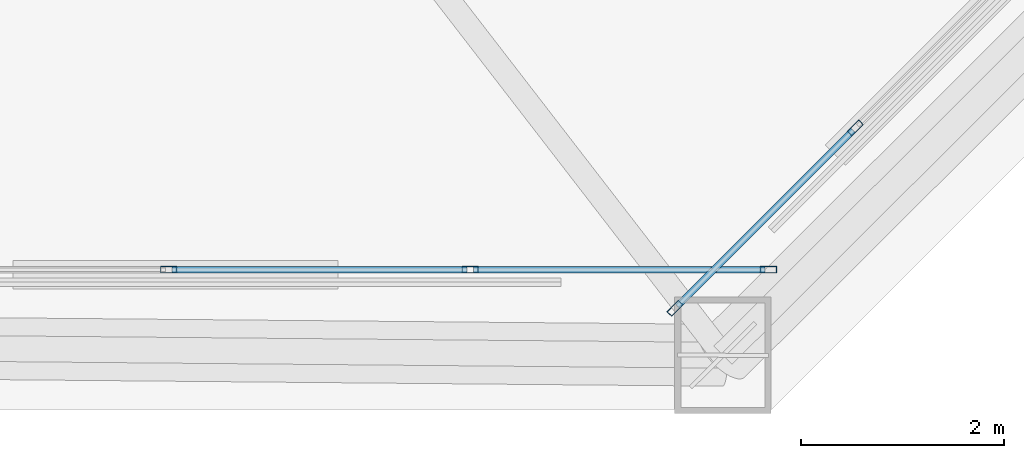
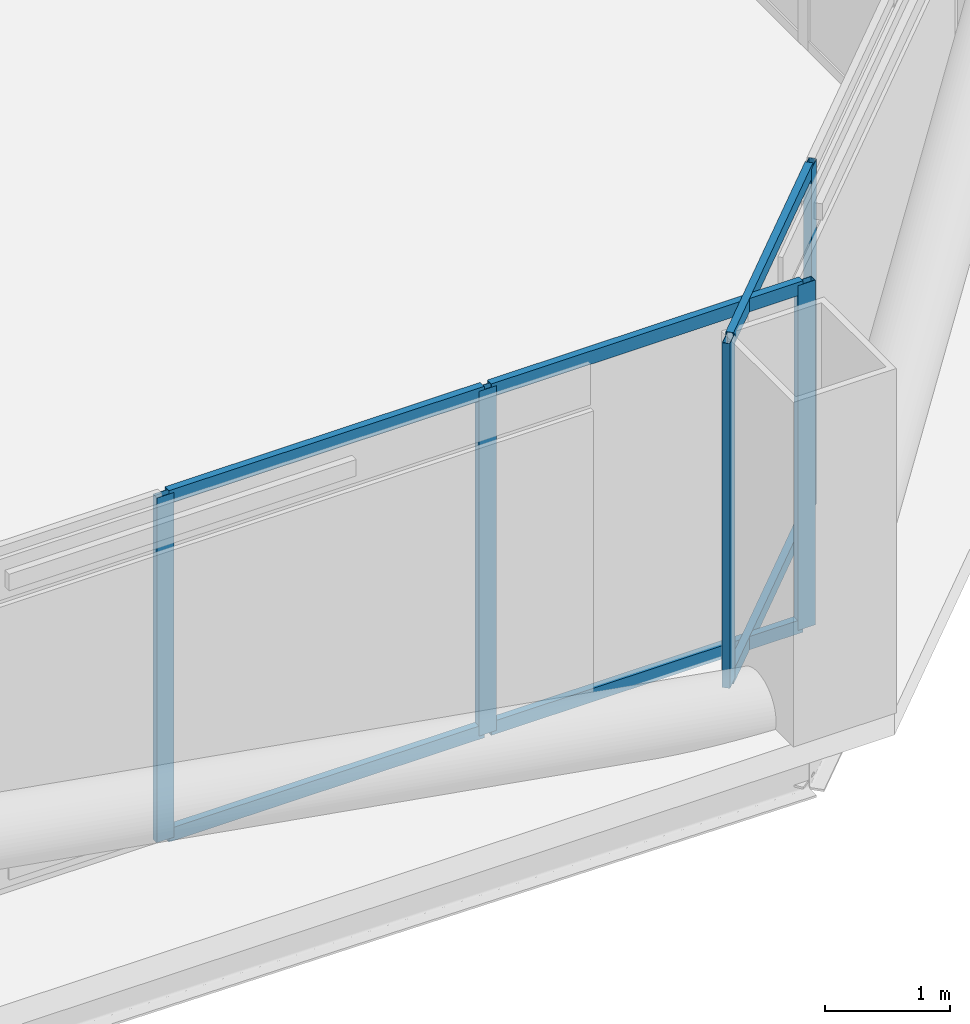
# One storey, part 23 of 50: 11 members, 2 elements without a shape of their own.
"""IFC4 building model written with IfcOpenShell, lengths in metres."""

from ifc_helpers import new_model, si_unit, direction, frame, origin, origin_2d, place, context, subcontext, project, spatial, hollow_rectangle, extrude, material, layer, layer_set, material_profile, profile_set, type_object, element, aggregate, save


model = new_model("IFC4")

# Units and contexts
model_context = context("Model", 3, precision=1e-05, world=origin(), true_north=direction((0.0, 1.0)))
body_context = subcontext(model_context, "Body", "Model", "MODEL_VIEW")
ifc_project = project(units=[si_unit("LENGTHUNIT", "METRE"), si_unit("AREAUNIT", "SQUARE_METRE"), si_unit("VOLUMEUNIT", "CUBIC_METRE"), si_unit("PLANEANGLEUNIT", "RADIAN"), si_unit("MASSUNIT", "GRAM", prefix="KILO")], contexts=[model_context])

# Site, building, storey
site_placement = place(None, origin())
site = spatial("IfcSite", under=ifc_project, at=site_placement, CompositionType="ELEMENT")
building_placement = place(site_placement, origin())
building = spatial("IfcBuilding", under=site, at=building_placement, Name="Caelvoria Tower", CompositionType="ELEMENT")
storey_placement = place(building_placement, frame((0.0, 0.0, 71.199951171875)))
storey = spatial("IfcBuildingStorey", under=building, at=storey_placement, Name="L18", CompositionType="ELEMENT", Elevation=71.199951171875)

# Curtain wall, members
ifc_material_1 = material(Name="Anodised Bronze Aluminium and Low-E Glass", Category="aluminium")
ifc_layer = layer(ifc_material_1, 0.18505859375, Name="Anodised Bronze Aluminium and Low-E Glass")
ifc_layer_set = layer_set([ifc_layer], Name="CW System 2 Lower Tower Bronze Unitised Facade - Anodised Bronze Aluminium and Low-E Glass")
curtain_wall_type = type_object("IfcCurtainWallType", Name="CW System 2 Lower Tower Bronze Unitised Facade", PredefinedType="NOTDEFINED", material=ifc_layer_set)
curtain_wall_1_placement = place(storey_placement, origin())
curtain_wall_1 = element("IfcCurtainWall", 1, at=curtain_wall_1_placement, inside=storey, type_object=curtain_wall_type, Name="CW-02 Curtain Wall L18-E0", PredefinedType="NOTDEFINED")
ifc_material_2 = material(Name="Anodised Bronze Architectural Aluminium", Category="aluminium")
ifc_material_profile_1 = material_profile(ifc_material_2, hollow_rectangle(XDim=0.06494140625, YDim=0.159912109375, WallThickness=0.00390625, at=origin_2d()), Name="Anodised Bronze Architectural Aluminium")
ifc_profile_set_1 = profile_set([ifc_material_profile_1], Name="CW_MULL_65X160 - Anodised Bronze Architectural Aluminium")
member_type_1 = type_object("IfcMemberType", Name="Curtain Wall Mullion 65x160 Bronze Aluminium", PredefinedType="MULLION", material=ifc_profile_set_1)
member_1_placement = place(storey_placement, frame((60.857177734375, 10.179931640625, 0.0), z_axis=(0.0, 0.0, 1.0), x_axis=(0.0, 1.0, 0.0)))
member_1 = element("IfcMember", 2, at=member_1_placement, type_object=member_type_1, Name="CW-02 mullion 13", PredefinedType="MULLION", context=body_context, shape_type="SweptSolid", body=[
    extrude(hollow_rectangle(XDim=0.06494140625, YDim=0.159912109375, WallThickness=0.00390625, at=origin_2d()), origin(), (0.0, 0.0, 1.0), 3.360107421875),
])
member_2_placement = place(storey_placement, frame((63.82861328125, 10.179931640625, 0.0), z_axis=(0.0, 0.0, 1.0), x_axis=(0.0, 1.0, 0.0)))
member_2 = element("IfcMember", 3, at=member_2_placement, type_object=member_type_1, Name="CW-02 mullion 14", PredefinedType="MULLION", context=body_context, shape_type="SweptSolid", body=[
    extrude(hollow_rectangle(XDim=0.06494140625, YDim=0.159912109375, WallThickness=0.00390625, at=origin_2d()), origin(), (0.0, 0.0, 1.0), 3.360107421875),
])
member_3_placement = place(storey_placement, frame((66.767578125, 10.179931640625, 0.0), z_axis=(0.0, 0.0, 1.0), x_axis=(0.0, 1.0, 0.0)))
member_3 = element("IfcMember", 4, at=member_3_placement, type_object=member_type_1, Name="CW-02 mullion 15", PredefinedType="MULLION", context=body_context, shape_type="SweptSolid", body=[
    extrude(hollow_rectangle(XDim=0.06494140625, YDim=0.159912109375, WallThickness=0.00390625, at=origin_2d()), origin(), (0.0, 0.0, 1.0), 3.360107421875),
])

curtain_wall_2_placement = place(storey_placement, origin())
curtain_wall_2 = element("IfcCurtainWall", 5, at=curtain_wall_2_placement, inside=storey, type_object=curtain_wall_type, Name="CW-02 Curtain Wall L18-E1", PredefinedType="NOTDEFINED")
member_4_placement = place(storey_placement, frame((65.84716796875, 9.798828125, 0.0), z_axis=(0.0, 0.0, 1.0), x_axis=(-0.707106781187, 0.707106781187, 0.0)))
member_4 = element("IfcMember", 6, at=member_4_placement, type_object=member_type_1, Name="CW-02 mullion 1", PredefinedType="MULLION", context=body_context, shape_type="SweptSolid", body=[
    extrude(hollow_rectangle(XDim=0.06494140625, YDim=0.159912109375, WallThickness=0.00390625, at=origin_2d()), origin(), (0.0, 0.0, 1.0), 3.360107421875),
])
member_5_placement = place(storey_placement, frame((67.624267578125, 11.57568359375, 0.0), z_axis=(0.0, 0.0, 1.0), x_axis=(-0.707106781187, 0.707106781187, 0.0)))
member_5 = element("IfcMember", 7, at=member_5_placement, type_object=member_type_1, Name="CW-02 mullion 2", PredefinedType="MULLION", context=body_context, shape_type="SweptSolid", body=[
    extrude(hollow_rectangle(XDim=0.06494140625, YDim=0.159912109375, WallThickness=0.00390625, at=origin_2d()), origin(), (0.0, 0.0, 1.0), 3.360107421875),
])

# Member
ifc_material_profile_2 = material_profile(ifc_material_2, hollow_rectangle(XDim=0.06494140625, YDim=0.1298828125, WallThickness=0.00341796875, at=origin_2d()), Name="Anodised Bronze Architectural Aluminium")
ifc_profile_set_2 = profile_set([ifc_material_profile_2], Name="CW_TRAN_65X130 - Anodised Bronze Architectural Aluminium")
member_type_2 = type_object("IfcMemberType", Name="Curtain Wall Transom 65x130 Bronze Aluminium", PredefinedType="USERDEFINED", material=ifc_profile_set_2)
member_6_placement = place(storey_placement, frame((60.8896484375, 10.179931640625, 0.032470703125), z_axis=(1.0, 0.0, 0.0), x_axis=(0.0, 1.0, 0.0)))
member_6 = element("IfcMember", 8, at=member_6_placement, type_object=member_type_2, Name="CW-02 transom 13.1", ObjectType="TRANSOM", PredefinedType="USERDEFINED", context=body_context, shape_type="SweptSolid", body=[
    extrude(hollow_rectangle(XDim=0.06494140625, YDim=0.1298828125, WallThickness=0.00341796875, at=origin_2d()), origin(), (0.0, 0.0, 1.0), 2.906494140625),
])

member_7_placement = place(storey_placement, frame((60.8896484375, 10.179931640625, 3.32763671875), z_axis=(1.0, 0.0, 0.0), x_axis=(0.0, 1.0, 0.0)))
member_7 = element("IfcMember", 9, at=member_7_placement, type_object=member_type_2, Name="CW-02 transom 13.2", ObjectType="TRANSOM", PredefinedType="USERDEFINED", context=body_context, shape_type="SweptSolid", body=[
    extrude(hollow_rectangle(XDim=0.06494140625, YDim=0.1298828125, WallThickness=0.00341796875, at=origin_2d()), origin(), (0.0, 0.0, 1.0), 2.906494140625),
])

member_8_placement = place(storey_placement, frame((63.861083984375, 10.179931640625, 0.032470703125), z_axis=(1.0, 0.0, 0.0), x_axis=(0.0, 1.0, 0.0)))
member_8 = element("IfcMember", 10, at=member_8_placement, type_object=member_type_2, Name="CW-02 transom 14.1", ObjectType="TRANSOM", PredefinedType="USERDEFINED", context=body_context, shape_type="SweptSolid", body=[
    extrude(hollow_rectangle(XDim=0.06494140625, YDim=0.1298828125, WallThickness=0.00341796875, at=origin_2d()), origin(), (0.0, 0.0, 1.0), 2.8740234375),
])

member_9_placement = place(storey_placement, frame((63.861083984375, 10.179931640625, 3.32763671875), z_axis=(1.0, 0.0, 0.0), x_axis=(0.0, 1.0, 0.0)))
member_9 = element("IfcMember", 11, at=member_9_placement, type_object=member_type_2, Name="CW-02 transom 14.2", ObjectType="TRANSOM", PredefinedType="USERDEFINED", context=body_context, shape_type="SweptSolid", body=[
    extrude(hollow_rectangle(XDim=0.06494140625, YDim=0.1298828125, WallThickness=0.00341796875, at=origin_2d()), origin(), (0.0, 0.0, 1.0), 2.8740234375),
])

aggregate(curtain_wall_1, [member_1, member_2, member_3, member_6, member_7, member_8, member_9])

member_10_placement = place(storey_placement, frame((65.8701171875, 9.82177734375, 0.032470703125), z_axis=(0.707156642399, 0.707056916458, 0.0), x_axis=(-0.707056916458, 0.707156642399, 0.0)))
member_10 = element("IfcMember", 12, at=member_10_placement, type_object=member_type_2, Name="CW-02 transom 1.1", ObjectType="TRANSOM", PredefinedType="USERDEFINED", context=body_context, shape_type="SweptSolid", body=[
    extrude(hollow_rectangle(XDim=0.06494140625, YDim=0.1298828125, WallThickness=0.00341796875, at=origin_2d()), origin(), (0.0, 0.0, 1.0), 2.447998046875),
])

member_11_placement = place(storey_placement, frame((65.8701171875, 9.82177734375, 3.32763671875), z_axis=(0.707156642399, 0.707056916458, 0.0), x_axis=(-0.707056916458, 0.707156642399, 0.0)))
member_11 = element("IfcMember", 13, at=member_11_placement, type_object=member_type_2, Name="CW-02 transom 1.2", ObjectType="TRANSOM", PredefinedType="USERDEFINED", context=body_context, shape_type="SweptSolid", body=[
    extrude(hollow_rectangle(XDim=0.06494140625, YDim=0.1298828125, WallThickness=0.00341796875, at=origin_2d()), origin(), (0.0, 0.0, 1.0), 2.447998046875),
])

aggregate(curtain_wall_2, [member_4, member_5, member_10, member_11])

save(model, "model.ifc")
